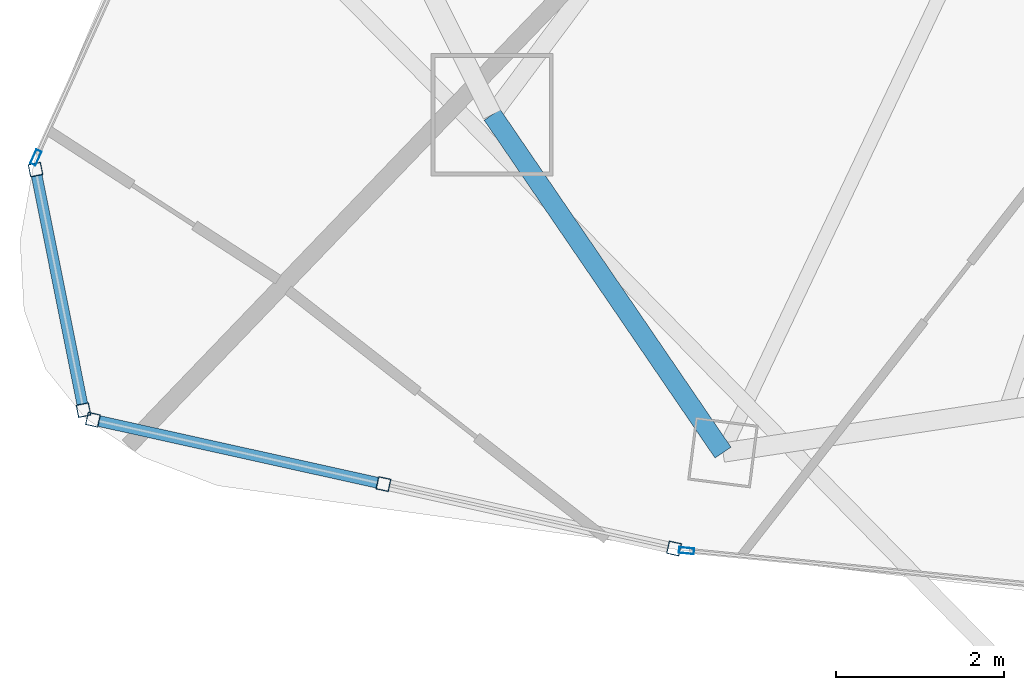
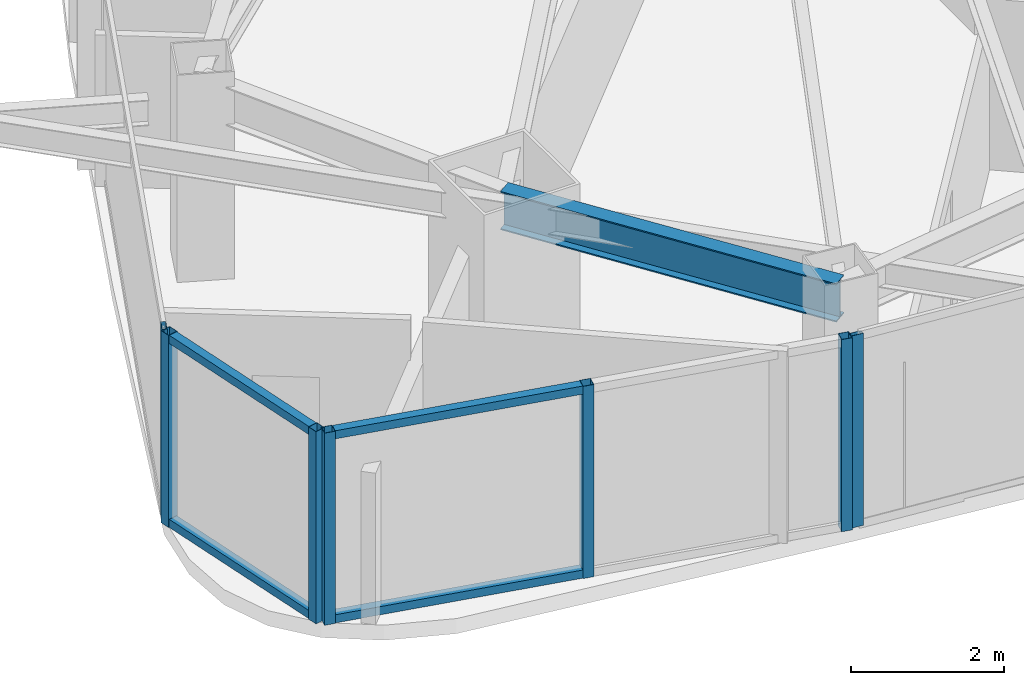
# One storey, part 2 of 30: 11 members, 1 beam, 4 elements without a shape of their own.
"""IFC4 building model written with IfcOpenShell, lengths in metres."""

from ifc_helpers import new_model, si_unit, direction, frame, origin, origin_2d, place, context, subcontext, project, spatial, hollow_rectangle, i_section, extrude, material, layer, layer_set, material_profile, profile_set, type_object, element, aggregate, save


model = new_model("IFC4")

# Units and contexts
model_context = context("Model", 3, precision=1e-05, world=origin(), true_north=direction((0.0, 1.0)))
body_context = subcontext(model_context, "Body", "Model", "MODEL_VIEW")
ifc_project = project(units=[si_unit("LENGTHUNIT", "METRE"), si_unit("AREAUNIT", "SQUARE_METRE"), si_unit("VOLUMEUNIT", "CUBIC_METRE"), si_unit("PLANEANGLEUNIT", "RADIAN"), si_unit("MASSUNIT", "GRAM", prefix="KILO")], contexts=[model_context])

# Site, building, storey
site_placement = place(None, origin())
site = spatial("IfcSite", under=ifc_project, at=site_placement, CompositionType="ELEMENT")
building_placement = place(site_placement, origin())
building = spatial("IfcBuilding", under=site, at=building_placement, Name="Orvanel Arch Residences", CompositionType="ELEMENT")
storey_placement = place(building_placement, frame((0.0, 0.0, 180.35009765625)))
storey = spatial("IfcBuildingStorey", under=building, at=storey_placement, Name="L51", CompositionType="ELEMENT", Elevation=180.35009765625)

# Curtain wall, members
ifc_material_1 = material(Name="Bronze-anodised aluminium AA6063-T6", Category="aluminium")
ifc_layer_1 = layer(ifc_material_1, 0.18994140625)
ifc_layer_set_1 = layer_set([ifc_layer_1], Name="Bronze-anodised aluminium AA6063-T6")
curtain_wall_type_1 = type_object("IfcCurtainWallType", Name="CW5-CRN-SYS", PredefinedType="NOTDEFINED", material=ifc_layer_set_1)
curtain_wall_1_placement = place(storey_placement, origin())
curtain_wall_1 = element("IfcCurtainWall", 1, at=curtain_wall_1_placement, inside=storey, type_object=curtain_wall_type_1, Name="L51 CW5-CRN-SYS Unitised Curtain Wall", PredefinedType="NOTDEFINED")
ifc_material_profile_1 = material_profile(ifc_material_1, hollow_rectangle(XDim=0.14990234375, YDim=0.14990234375, WallThickness=0.0048828125, at=origin_2d()), Name="ALU150x150x5")
ifc_profile_set_1 = profile_set([ifc_material_profile_1], Name="Bronze-anodised aluminium AA6063-T6")
member_type_1 = type_object("IfcMemberType", Name="MUL-150x150", PredefinedType="MULLION", material=ifc_profile_set_1)
member_1_placement = place(storey_placement, frame((8.776611328125, 9.700439453125, 0.0), z_axis=(0.0, 0.0, 1.0), x_axis=(0.980693519169, 0.195551071234, 0.0)))
member_1 = element("IfcMember", 2, at=member_1_placement, type_object=member_type_1, Name="CW-S5 mullion 1", PredefinedType="MULLION", context=body_context, shape_type="SweptSolid", body=[
    extrude(hollow_rectangle(XDim=0.14990234375, YDim=0.14990234375, WallThickness=0.0048828125, at=origin_2d()), origin(), (0.0, 0.0, 1.0), 3.059814453125),
])
member_2_placement = place(storey_placement, frame((9.346435546875, 6.843505859375, 0.0), z_axis=(0.0, 0.0, 1.0), x_axis=(0.980693519169, 0.195551071234, 0.0)))
member_2 = element("IfcMember", 3, at=member_2_placement, type_object=member_type_1, Name="CW-S5 mullion 2", PredefinedType="MULLION", context=body_context, shape_type="SweptSolid", body=[
    extrude(hollow_rectangle(XDim=0.14990234375, YDim=0.14990234375, WallThickness=0.0048828125, at=origin_2d()), origin(), (0.0, 0.0, 1.0), 3.059814453125),
])

curtain_wall_2_placement = place(storey_placement, origin())
curtain_wall_2 = element("IfcCurtainWall", 4, at=curtain_wall_2_placement, inside=storey, type_object=curtain_wall_type_1, Name="L51 CW5-CRN-SYS Unitised Curtain Wall", PredefinedType="NOTDEFINED")
member_3_placement = place(storey_placement, frame((9.458251953125, 6.729736328125, 0.0), z_axis=(0.0, 0.0, 1.0), x_axis=(0.216373070724, 0.976310757016, 0.0)))
member_3 = element("IfcMember", 5, at=member_3_placement, type_object=member_type_1, Name="CW-S5 mullion 1", PredefinedType="MULLION", context=body_context, shape_type="SweptSolid", body=[
    extrude(hollow_rectangle(XDim=0.14990234375, YDim=0.14990234375, WallThickness=0.0048828125, at=origin_2d()), origin(), (0.0, 0.0, 1.0), 3.059814453125),
])
member_4_placement = place(storey_placement, frame((12.908935546875, 5.965087890625, 0.0), z_axis=(0.0, 0.0, 1.0), x_axis=(0.216373070724, 0.976310757016, 0.0)))
member_4 = element("IfcMember", 6, at=member_4_placement, type_object=member_type_1, Name="CW-S5 mullion 2", PredefinedType="MULLION", context=body_context, shape_type="SweptSolid", body=[
    extrude(hollow_rectangle(XDim=0.14990234375, YDim=0.14990234375, WallThickness=0.0048828125, at=origin_2d()), origin(), (0.0, 0.0, 1.0), 3.059814453125),
])
member_5_placement = place(storey_placement, frame((16.35986328125, 5.2001953125, 0.0), z_axis=(0.0, 0.0, 1.0), x_axis=(0.216373070724, 0.976310757016, 0.0)))
member_5 = element("IfcMember", 7, at=member_5_placement, type_object=member_type_1, Name="CW-S5 mullion 3", PredefinedType="MULLION", context=body_context, shape_type="SweptSolid", body=[
    extrude(hollow_rectangle(XDim=0.14990234375, YDim=0.14990234375, WallThickness=0.0048828125, at=origin_2d()), origin(), (0.0, 0.0, 1.0), 3.059814453125),
])

# Curtain wall, member
ifc_layer_2 = layer(ifc_material_1, 0.179931640625)
ifc_layer_set_2 = layer_set([ifc_layer_2], Name="Bronze-anodised aluminium AA6063-T6")
curtain_wall_type_2 = type_object("IfcCurtainWallType", Name="CW3-MID-SYS", PredefinedType="NOTDEFINED", material=ifc_layer_set_2)
curtain_wall_3_placement = place(storey_placement, origin())
curtain_wall_3 = element("IfcCurtainWall", 8, at=curtain_wall_3_placement, inside=storey, type_object=curtain_wall_type_2, Name="L51 CW3-MID-SYS Unitised Curtain Wall", PredefinedType="NOTDEFINED")
ifc_material_profile_2 = material_profile(ifc_material_1, hollow_rectangle(XDim=0.070068359375, YDim=0.179931640625, WallThickness=0.00439453125, at=origin_2d()), Name="ALU180x70x4.5")
ifc_profile_set_2 = profile_set([ifc_material_profile_2], Name="Bronze-anodised aluminium AA6063-T6")
member_type_2 = type_object("IfcMemberType", Name="MUL-180x70", PredefinedType="MULLION", material=ifc_profile_set_2)
member_6_placement = place(storey_placement, frame((8.780517578125, 9.843994140625, 0.0), z_axis=(0.0, 0.0, 1.0), x_axis=(0.910943582501, -0.412530955809, 0.0)))
member_6 = element("IfcMember", 9, at=member_6_placement, type_object=member_type_2, Name="CW-S3 mullion 3", PredefinedType="MULLION", context=body_context, shape_type="SweptSolid", body=[
    extrude(hollow_rectangle(XDim=0.070068359375, YDim=0.179931640625, WallThickness=0.00439453125, at=origin_2d()), origin(), (0.0, 0.0, 1.0), 3.059814453125),
])
aggregate(curtain_wall_3, [member_6])

curtain_wall_4_placement = place(storey_placement, origin())
curtain_wall_4 = element("IfcCurtainWall", 10, at=curtain_wall_4_placement, inside=storey, type_object=curtain_wall_type_2, Name="L51 CW3-MID-SYS Unitised Curtain Wall", PredefinedType="NOTDEFINED")
member_7_placement = place(storey_placement, frame((16.5078125, 5.174560546875, 0.0), z_axis=(0.0, 0.0, 1.0), x_axis=(0.097701556124, 0.995215758482, 0.0)))
member_7 = element("IfcMember", 11, at=member_7_placement, type_object=member_type_2, Name="CW-S3 mullion 1", PredefinedType="MULLION", context=body_context, shape_type="SweptSolid", body=[
    extrude(hollow_rectangle(XDim=0.070068359375, YDim=0.179931640625, WallThickness=0.00439453125, at=origin_2d()), origin(), (0.0, 0.0, 1.0), 3.059814453125),
])
aggregate(curtain_wall_4, [member_7])

# Beam
ifc_material_2 = material(Name="Structural steel AS/NZS 3679.1 Grade 300 (300 MPa)", Category="steel")
ifc_material_profile_3 = material_profile(ifc_material_2, i_section(OverallWidth=0.22900390625, OverallDepth=0.612060546875, WebThickness=0.011962890625, FlangeThickness=0.01953125, at=origin_2d()), Name="610UB125")
ifc_profile_set_3 = profile_set([ifc_material_profile_3], Name="Structural steel AS/NZS 3679.1 Grade 300 (300 MPa)")
beam_type = type_object("IfcBeamType", Name="SP-610UB", PredefinedType="SPANDREL", material=ifc_profile_set_3)
beam_placement = place(storey_placement, frame((14.198974609375, 10.35107421875, 2.75390625), z_axis=(0.564251579852, -0.825602903722, 0.0), x_axis=(0.825602903722, 0.564251579852, 0.0)))
element("IfcBeam", 12, at=beam_placement, inside=storey, type_object=beam_type, Name="L51 Perimeter Spandrel Beam 03", PredefinedType="SPANDREL", context=body_context, shape_type="SweptSolid", body=[
    extrude(i_section(OverallWidth=0.22900390625, OverallDepth=0.612060546875, WebThickness=0.011962890625, FlangeThickness=0.01953125, at=origin_2d()), origin(), (0.0, 0.0, 1.0), 4.859375),
])

# Member
ifc_material_profile_4 = material_profile(ifc_material_1, hollow_rectangle(XDim=0.1298828125, YDim=0.1298828125, WallThickness=0.00439453125, at=origin_2d()), Name="ALU130x130x4.5")
ifc_profile_set_4 = profile_set([ifc_material_profile_4], Name="Bronze-anodised aluminium AA6063-T6")
member_type_3 = type_object("IfcMemberType", Name="TRN-130x130", PredefinedType="USERDEFINED", material=ifc_profile_set_4)
member_8_placement = place(storey_placement, frame((8.791259765625, 9.626953125, 0.06494140625), z_axis=(0.195606398412, -0.980682485262, 0.0), x_axis=(0.980682485262, 0.195606398412, 0.0)))
member_8 = element("IfcMember", 13, at=member_8_placement, type_object=member_type_3, Name="CW-S5 transom 1.1", ObjectType="TRANSOM", PredefinedType="USERDEFINED", context=body_context, shape_type="SweptSolid", body=[
    extrude(hollow_rectangle(XDim=0.1298828125, YDim=0.1298828125, WallThickness=0.00439453125, at=origin_2d()), origin(), (0.0, 0.0, 1.0), 2.763427734375),
])

member_9_placement = place(storey_placement, frame((8.791259765625, 9.626953125, 2.994873046875), z_axis=(0.195606398412, -0.980682485262, 0.0), x_axis=(0.980682485262, 0.195606398412, 0.0)))
member_9 = element("IfcMember", 14, at=member_9_placement, type_object=member_type_3, Name="CW-S5 transom 1.2", ObjectType="TRANSOM", PredefinedType="USERDEFINED", context=body_context, shape_type="SweptSolid", body=[
    extrude(hollow_rectangle(XDim=0.1298828125, YDim=0.1298828125, WallThickness=0.00439453125, at=origin_2d()), origin(), (0.0, 0.0, 1.0), 2.763427734375),
])

aggregate(curtain_wall_1, [member_1, member_2, member_8, member_9])

member_10_placement = place(storey_placement, frame((9.531494140625, 6.713623046875, 0.06494140625), z_axis=(0.976302341234, -0.216411040616, 0.0), x_axis=(0.216411040616, 0.976302341234, 0.0)))
member_10 = element("IfcMember", 15, at=member_10_placement, type_object=member_type_3, Name="CW-S5 transom 1.1", ObjectType="TRANSOM", PredefinedType="USERDEFINED", context=body_context, shape_type="SweptSolid", body=[
    extrude(hollow_rectangle(XDim=0.1298828125, YDim=0.1298828125, WallThickness=0.00439453125, at=origin_2d()), origin(), (0.0, 0.0, 1.0), 3.384521484375),
])

member_11_placement = place(storey_placement, frame((9.531494140625, 6.713623046875, 2.994873046875), z_axis=(0.976302341234, -0.216411040616, 0.0), x_axis=(0.216411040616, 0.976302341234, 0.0)))
member_11 = element("IfcMember", 16, at=member_11_placement, type_object=member_type_3, Name="CW-S5 transom 1.2", ObjectType="TRANSOM", PredefinedType="USERDEFINED", context=body_context, shape_type="SweptSolid", body=[
    extrude(hollow_rectangle(XDim=0.1298828125, YDim=0.1298828125, WallThickness=0.00439453125, at=origin_2d()), origin(), (0.0, 0.0, 1.0), 3.384521484375),
])

aggregate(curtain_wall_2, [member_3, member_4, member_5, member_10, member_11])

save(model, "model.ifc")
